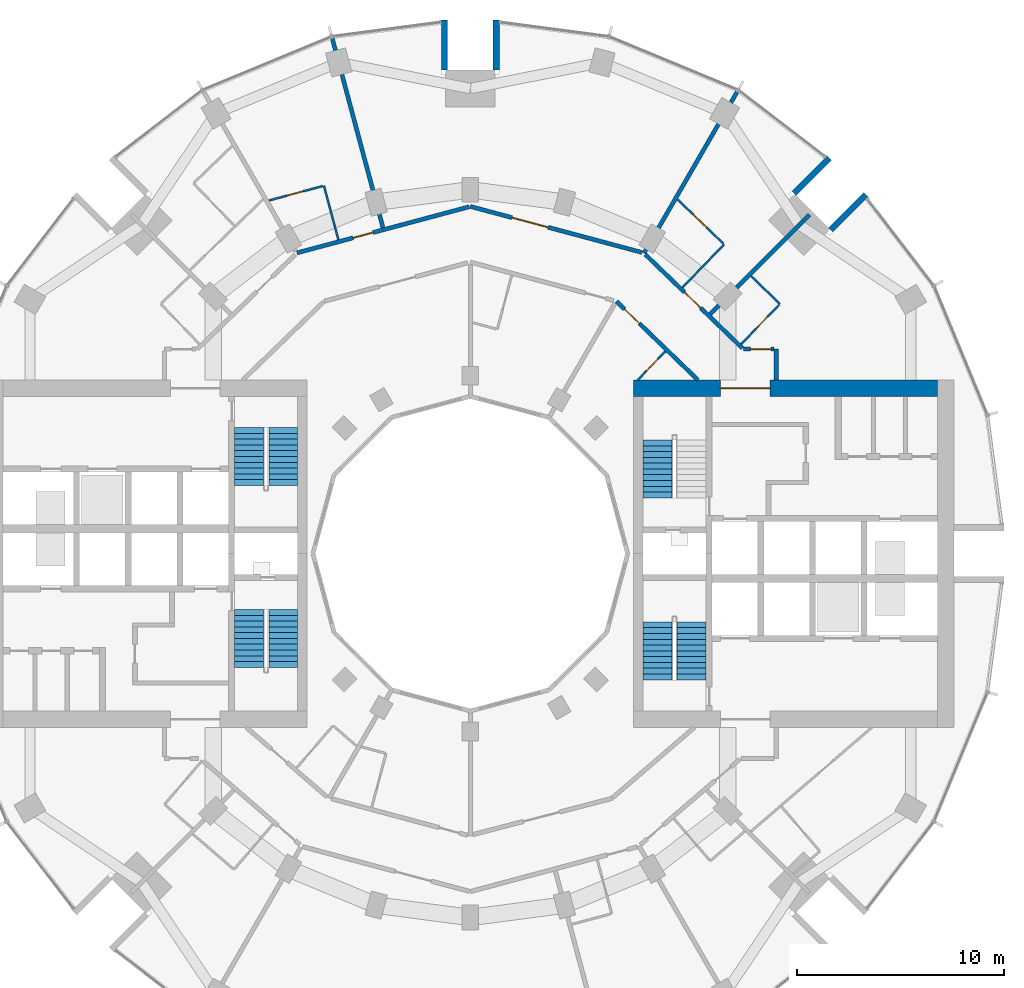
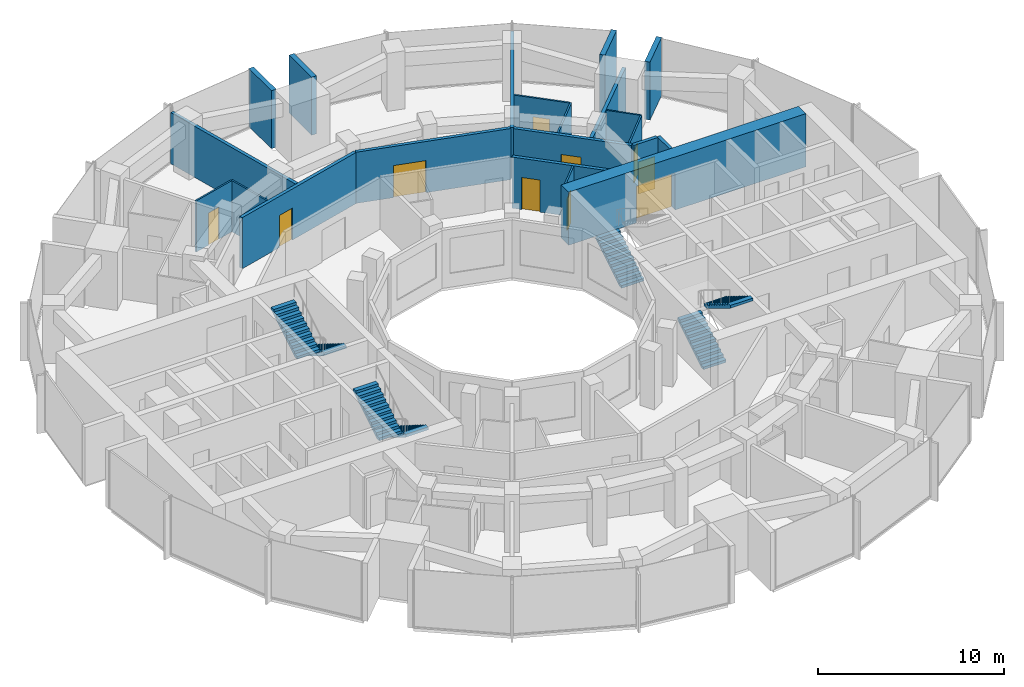
# One storey, part 12 of 15: 21 walls, 10 doors, 7 stair flights, 10 openings, 4 elements without a shape of their own.
"""IFC4 building model written with IfcOpenShell, lengths in metres."""

from ifc_helpers import new_model, si_unit, direction, frame, frame_2d, origin, place, context, subcontext, project, spatial, polyline, rectangle, outline, extrude, material, layer, layer_set, type_object, element, fill, aggregate, save


model = new_model("IFC4")

# Units and contexts
model_context = context("Model", 3, precision=1e-05, world=origin(), true_north=direction((0.0, 1.0)))
body_context = subcontext(model_context, "Body", "Model", "MODEL_VIEW")
ifc_project = project(units=[si_unit("LENGTHUNIT", "METRE"), si_unit("AREAUNIT", "SQUARE_METRE"), si_unit("VOLUMEUNIT", "CUBIC_METRE"), si_unit("PLANEANGLEUNIT", "RADIAN"), si_unit("MASSUNIT", "GRAM", prefix="KILO")], contexts=[model_context])

# Site, building, storey
site_placement = place(None, origin())
site = spatial("IfcSite", under=ifc_project, at=site_placement, CompositionType="ELEMENT")
building_placement = place(site_placement, origin())
building = spatial("IfcBuilding", under=site, at=building_placement, Name="Torre Brocal", CompositionType="ELEMENT")
storey_placement = place(building_placement, frame((0.0, 0.0, 97.60009765625)))
storey = spatial("IfcBuildingStorey", under=building, at=storey_placement, Name="L22", CompositionType="ELEMENT", Elevation=97.60009765625)

# Wall, opening, door
ifc_material_1 = material(Name="Concrete C80", Category="concrete")
ifc_layer_1 = layer(ifc_material_1, 0.800048828125)
ifc_layer_set_1 = layer_set([ifc_layer_1], Name="Concrete C80")
wall_type_1 = type_object("IfcWallType", Name="CORE WALL 800 C80", PredefinedType="SHEAR", material=ifc_layer_set_1)
wall_1_placement = place(storey_placement, frame((87.89990234375, 83.0, 0.0), z_axis=(0.0, 0.0, 1.0), x_axis=(1.0, 0.0, 0.0)))
wall_1 = element("IfcWall", 1, at=wall_1_placement, inside=storey, type_object=wall_type_1, Name="Wall CW800-80", PredefinedType="SHEAR", context=body_context, shape_type="SweptSolid", body=[
    extrude(rectangle(XDim=14.7001953125, YDim=0.800048828125, at=frame_2d((7.35009765625, 0.0))), origin(), (0.0, 0.0, 1.0), 3.47998046875),
])
opening_1_placement = place(wall_1_placement, frame((4.199951171875, 0.0, 0.0)))
opening_1 = element("IfcOpeningElement", 2, at=opening_1_placement, cuts=wall_1, Name="Opening E-D27", PredefinedType="OPENING", context=body_context, shape_type="SweptSolid", body=[
    extrude(rectangle(XDim=2.39990234375, YDim=2.39990234375, at=frame_2d((1.199951171875, 1.199951171875))), frame((0.0, 0.409912109375, 0.0), z_axis=(0.0, -1.0, 0.0), x_axis=(1.0, 0.0, 0.0)), (0.0, 0.0, 1.0), 0.820068359375),
])
ifc_material_2 = material(Name="Steel A653", Category="steel")
door_type_1 = type_object("IfcDoorType", Name="DOUBLE FIRE DOOR FD90 2400X2400", OperationType="DOUBLE_DOOR_SINGLE_SWING", PredefinedType="DOOR", material=ifc_material_2)
door_1_placement = place(opening_1_placement, frame((2.39990234375, 0.0, 0.0), z_axis=(0.0, 0.0, 1.0), x_axis=(-1.0, 0.0, 0.0)))
door_1 = element("IfcDoor", 3, at=door_1_placement, inside=storey, type_object=door_type_1, Name="Door E-D27", OperationType="DOUBLE_DOOR_SINGLE_SWING", OverallHeight=2.39990234375, OverallWidth=2.39990234375, PredefinedType="DOOR", context=body_context, shape_type="SweptSolid", body=[
    extrude(rectangle(XDim=2.39990234375, YDim=2.39990234375, at=frame_2d((1.199951171875, 1.199951171875))), frame((0.0, 0.02490234375, 0.0), z_axis=(0.0, -1.0, 0.0), x_axis=(1.0, 0.0, 0.0)), (0.0, 0.0, 1.0), 0.050048828125),
])
fill(opening_1, door_1)

# Walls
ifc_material_3 = material(Name="Concrete C80", Category="concrete")
ifc_layer_2 = layer(ifc_material_3, 0.300048828125)
ifc_layer_set_2 = layer_set([ifc_layer_2], Name="Concrete C80")
wall_type_2 = type_object("IfcWallType", Name="NOTCH RETURN WALL 300 C80", PredefinedType="NOTDEFINED", material=ifc_layer_set_2)
for number, where, z_axis, x_axis, name in (
    (4, (97.43017578125, 90.662353515625, 0.0), (0.0, 0.0, 1.0), (0.707106781187, 0.707106781187, 0.0), "NOTCH RETURN WALL"),
    (5, (95.662353515625, 92.43017578125, 0.0), (0.0, 0.0, 1.0), (0.707106781187, 0.707106781187, 0.0), "NOTCH RETURN WALL"),
    (6, (81.25, 98.39990234375, 0.0), (0.0, 0.0, 1.0), (0.0, 1.0, 0.0), "NOTCH RETURN WALL"),
    (7, (78.75, 98.39990234375, 0.0), (0.0, 0.0, 1.0), (0.0, 1.0, 0.0), "NOTCH RETURN WALL"),
):
    element("IfcWall", number, at=place(storey_placement, frame(where, z_axis=z_axis, x_axis=x_axis)), inside=storey, type_object=wall_type_2, Name=name, PredefinedType="NOTDEFINED", context=body_context, shape_type="SweptSolid", body=[
        extrude(rectangle(XDim=2.415771484375, YDim=0.300048828125, at=frame_2d((1.2080078125, 0.0))), origin(), (0.0, 0.0, 1.0), 3.7998046875),
    ])

# Wall, opening, door
ifc_material_4 = material(Name="Gypsum board", Category="Gypsum")
ifc_layer_3 = layer(ifc_material_4, 0.10009765625)
ifc_layer_set_3 = layer_set([ifc_layer_3], Name="Gypsum board")
wall_type_3 = type_object("IfcWallType", Name="PARTITION 100", PredefinedType="PARTITIONING", material=ifc_layer_set_3)
wall_2_placement = place(storey_placement, frame((70.267822265625, 92.087158203125, 0.0), z_axis=(0.0, 0.0, 1.0), x_axis=(0.965937937835, 0.258773839966, 0.0)))
wall_2 = element("IfcWall", 8, at=wall_2_placement, inside=storey, type_object=wall_type_3, Name="BATHROOM WALL", PredefinedType="PARTITIONING", context=body_context, shape_type="SweptSolid", body=[
    extrude(rectangle(XDim=2.693603515625, YDim=0.10009765625, at=frame_2d((1.3466796875, 0.0))), origin(), (0.0, 0.0, 1.0), 3.349853515625),
])
opening_2_placement = place(wall_2_placement, frame((0.911865234375, 0.0, 0.0)))
opening_2 = element("IfcOpeningElement", 9, at=opening_2_placement, cuts=wall_2, Name="Opening H06-D07", PredefinedType="OPENING", context=body_context, shape_type="SweptSolid", body=[
    extrude(rectangle(XDim=0.800048828125, YDim=2.10009765625, at=frame_2d((0.39990234375, 1.050048828125))), frame((0.0, 0.06005859375, 0.0), z_axis=(0.0, -1.0, 0.0), x_axis=(1.0, 0.0, 0.0)), (0.0, 0.0, 1.0), 0.1201171875),
])
ifc_material_5 = material(Name="Timber", Category="wood")
door_type_2 = type_object("IfcDoorType", Name="BATHROOM DOOR 800X2100", OperationType="SINGLE_SWING_LEFT", PredefinedType="DOOR", material=ifc_material_5)
door_2_placement = place(opening_2_placement, frame((0.800048828125, 0.0, 0.0), z_axis=(0.0, 0.0, 1.0), x_axis=(-1.0, 0.0, 0.0)))
door_2 = element("IfcDoor", 10, at=door_2_placement, inside=storey, type_object=door_type_2, Name="H06-D07", OperationType="SINGLE_SWING_RIGHT", OverallHeight=2.10009765625, OverallWidth=0.800048828125, PredefinedType="DOOR", context=body_context, shape_type="SweptSolid", body=[
    extrude(rectangle(XDim=0.800048828125, YDim=2.10009765625, at=frame_2d((0.39990234375, 1.050048828125))), frame((0.0, 0.02490234375, 0.0), z_axis=(0.0, -1.0, 0.0), x_axis=(1.0, 0.0, 0.0)), (0.0, 0.0, 1.0), 0.050048828125),
])
fill(opening_2, door_2)

# Wall
wall_3_placement = place(storey_placement, frame((72.91796875, 92.797119140625, 0.0), z_axis=(0.0, 0.0, 1.0), x_axis=(0.25867580527, -0.965964195904, 0.0)))
element("IfcWall", 11, at=wall_3_placement, inside=storey, type_object=wall_type_3, Name="BATHROOM WALL", PredefinedType="PARTITIONING", context=body_context, shape_type="SweptSolid", body=[
    extrude(rectangle(XDim=2.69921875, YDim=0.10009765625, at=frame_2d((1.349609375, 0.0))), origin(), (0.0, 0.0, 1.0), 3.349853515625),
])

# Wall, opening, door
wall_4_placement = place(storey_placement, frame((88.094970703125, 83.39990234375, 0.0), z_axis=(0.0, 0.0, 1.0), x_axis=(0.694447472534, 0.719543402368, 0.0)))
wall_4 = element("IfcWall", 12, at=wall_4_placement, inside=storey, type_object=wall_type_3, Name="BATHROOM WALL", PredefinedType="PARTITIONING", context=body_context, shape_type="SweptSolid", body=[
    extrude(rectangle(XDim=1.92626953125, YDim=0.10009765625, at=frame_2d((0.963134765625, 0.0))), origin(), (0.0, 0.0, 1.0), 3.349853515625),
])
opening_3_placement = place(wall_4_placement, frame((0.613037109375, 0.0, 0.0)))
opening_3 = element("IfcOpeningElement", 13, at=opening_3_placement, cuts=wall_4, Name="Opening H06-D14", PredefinedType="OPENING", context=body_context, shape_type="SweptSolid", body=[
    extrude(rectangle(XDim=0.800048828125, YDim=2.10009765625, at=frame_2d((0.39990234375, 1.050048828125))), frame((0.0, 0.06005859375, 0.0), z_axis=(0.0, -1.0, 0.0), x_axis=(1.0, 0.0, 0.0)), (0.0, 0.0, 1.0), 0.1201171875),
])
door_3_placement = place(opening_3_placement, frame((0.800048828125, 0.0, 0.0), z_axis=(0.0, 0.0, 1.0), x_axis=(-1.0, 0.0, 0.0)))
door_3 = element("IfcDoor", 14, at=door_3_placement, inside=storey, type_object=door_type_2, Name="H06-D14", OperationType="SINGLE_SWING_LEFT", OverallHeight=2.10009765625, OverallWidth=0.800048828125, PredefinedType="DOOR", context=body_context, shape_type="SweptSolid", body=[
    extrude(rectangle(XDim=0.800048828125, YDim=2.10009765625, at=frame_2d((0.39990234375, 1.050048828125))), frame((0.0, 0.02490234375, 0.0), z_axis=(0.0, -1.0, 0.0), x_axis=(1.0, 0.0, 0.0)), (0.0, 0.0, 1.0), 0.050048828125),
])
fill(opening_3, door_3)

wall_5_placement = place(storey_placement, frame((90.02734375, 92.1337890625, 0.0), z_axis=(0.0, 0.0, 1.0), x_axis=(0.719415132118, -0.694580353652, 0.0)))
wall_5 = element("IfcWall", 15, at=wall_5_placement, inside=storey, type_object=wall_type_3, Name="BATHROOM WALL", PredefinedType="PARTITIONING", context=body_context, shape_type="SweptSolid", body=[
    extrude(rectangle(XDim=3.076904296875, YDim=0.10009765625, at=frame_2d((1.53857421875, 0.0))), origin(), (0.0, 0.0, 1.0), 3.349853515625),
])
opening_4_placement = place(wall_5_placement, frame((1.053466796875, 0.0, 0.0)))
opening_4 = element("IfcOpeningElement", 16, at=opening_4_placement, cuts=wall_5, Name="Opening H06-D04", PredefinedType="OPENING", context=body_context, shape_type="SweptSolid", body=[
    extrude(rectangle(XDim=0.89990234375, YDim=2.10009765625, at=frame_2d((0.449951171875, 1.050048828125))), frame((0.0, 0.06005859375, 0.0), z_axis=(0.0, -1.0, 0.0), x_axis=(1.0, 0.0, 0.0)), (0.0, 0.0, 1.0), 0.1201171875),
])
ifc_material_6 = material(Name="Timber", Category="wood")
door_type_3 = type_object("IfcDoorType", Name="ACCESSIBLE BATHROOM DOOR 900X2100", OperationType="SINGLE_SWING_LEFT", PredefinedType="DOOR", material=ifc_material_6)
door_4_placement = place(opening_4_placement, frame((0.89990234375, 0.0, 0.0), z_axis=(0.0, 0.0, 1.0), x_axis=(-1.0, 0.0, 0.0)))
door_4 = element("IfcDoor", 17, at=door_4_placement, inside=storey, type_object=door_type_3, Name="H06-D04", OperationType="SINGLE_SWING_RIGHT", OverallHeight=2.10009765625, OverallWidth=0.89990234375, PredefinedType="DOOR", context=body_context, shape_type="SweptSolid", body=[
    extrude(rectangle(XDim=0.89990234375, YDim=2.10009765625, at=frame_2d((0.449951171875, 1.050048828125))), frame((0.0, 0.02490234375, 0.0), z_axis=(0.0, -1.0, 0.0), x_axis=(1.0, 0.0, 0.0)), (0.0, 0.0, 1.0), 0.050048828125),
])
fill(opening_4, door_4)

# Wall
wall_6_placement = place(storey_placement, frame((90.263427734375, 87.8759765625, 0.0), z_axis=(0.0, 0.0, 1.0), x_axis=(0.694534400859, 0.719459495749, 0.0)))
element("IfcWall", 18, at=wall_6_placement, inside=storey, type_object=wall_type_3, Name="BATHROOM WALL", PredefinedType="PARTITIONING", context=body_context, shape_type="SweptSolid", body=[
    extrude(rectangle(XDim=2.8994140625, YDim=0.10009765625, at=frame_2d((1.44970703125, 0.0))), origin(), (0.0, 0.0, 1.0), 3.349853515625),
])

# Wall, opening, door
wall_7_placement = place(storey_placement, frame((93.103515625, 85.135986328125, 0.0), z_axis=(0.0, 0.0, 1.0), x_axis=(0.694324808789, 0.719661767708, 0.0)))
wall_7 = element("IfcWall", 19, at=wall_7_placement, inside=storey, type_object=wall_type_3, Name="BATHROOM WALL", PredefinedType="PARTITIONING", context=body_context, shape_type="SweptSolid", body=[
    extrude(rectangle(XDim=2.64990234375, YDim=0.10009765625, at=frame_2d((1.324951171875, 0.0))), origin(), (0.0, 0.0, 1.0), 3.349853515625),
])
opening_5_placement = place(wall_7_placement, frame((1.0498046875, 0.0, 0.0)))
opening_5 = element("IfcOpeningElement", 20, at=opening_5_placement, cuts=wall_7, Name="Opening H06-D02", PredefinedType="OPENING", context=body_context, shape_type="SweptSolid", body=[
    extrude(rectangle(XDim=0.800048828125, YDim=2.10009765625, at=frame_2d((0.39990234375, 1.050048828125))), frame((0.0, 0.06005859375, 0.0), z_axis=(0.0, -1.0, 0.0), x_axis=(1.0, 0.0, 0.0)), (0.0, 0.0, 1.0), 0.1201171875),
])
door_5_placement = place(opening_5_placement, origin())
door_5 = element("IfcDoor", 21, at=door_5_placement, inside=storey, type_object=door_type_2, Name="H06-D02", OperationType="SINGLE_SWING_RIGHT", OverallHeight=2.10009765625, OverallWidth=0.800048828125, PredefinedType="DOOR", context=body_context, shape_type="SweptSolid", body=[
    extrude(rectangle(XDim=0.800048828125, YDim=2.10009765625, at=frame_2d((0.39990234375, 1.050048828125))), frame((0.0, 0.02490234375, 0.0), z_axis=(0.0, -1.0, 0.0), x_axis=(1.0, 0.0, 0.0)), (0.0, 0.0, 1.0), 0.050048828125),
])
fill(opening_5, door_5)

# Wall
wall_8_placement = place(storey_placement, frame((93.582275390625, 88.425537109375, 0.0), z_axis=(0.0, 0.0, 1.0), x_axis=(0.719707242969, -0.694277670977, 0.0)))
element("IfcWall", 22, at=wall_8_placement, inside=storey, type_object=wall_type_3, Name="BATHROOM WALL", PredefinedType="PARTITIONING", context=body_context, shape_type="SweptSolid", body=[
    extrude(rectangle(XDim=1.939453125, YDim=0.10009765625, at=frame_2d((0.9697265625, 0.0))), origin(), (0.0, 0.0, 1.0), 3.349853515625),
])

# Wall, opening, door
ifc_material_7 = material(Name="Gypsum board", Category="Gypsum")
ifc_layer_4 = layer(ifc_material_7, 0.199951171875)
ifc_layer_set_4 = layer_set([ifc_layer_4], Name="Gypsum board")
wall_type_4 = type_object("IfcWallType", Name="PARTITION 200 EI60", PredefinedType="PARTITIONING", material=ifc_layer_set_4)
wall_9_placement = place(storey_placement, frame((71.614013671875, 89.549560546875, 0.0), z_axis=(0.0, 0.0, 1.0), x_axis=(0.965982378603, 0.258607896685, 0.0)))
wall_9 = element("IfcWall", 23, at=wall_9_placement, inside=storey, type_object=wall_type_4, Name="GUESTROOM CORRIDOR WALL", PredefinedType="PARTITIONING", context=body_context, shape_type="SweptSolid", body=[
    extrude(rectangle(XDim=8.631591796875, YDim=0.199951171875, at=frame_2d((4.31591796875, 0.0))), origin(), (0.0, 0.0, 1.0), 3.349853515625),
])
opening_6_placement = place(wall_9_placement, frame((2.804443359375, 0.0, 0.0)))
opening_6 = element("IfcOpeningElement", 24, at=opening_6_placement, cuts=wall_9, Name="Opening H06-D06", PredefinedType="OPENING", context=body_context, shape_type="SweptSolid", body=[
    extrude(rectangle(XDim=1.0, YDim=2.10009765625, at=frame_2d((0.5, 1.050048828125))), frame((0.0, 0.10986328125, 0.0), z_axis=(0.0, -1.0, 0.0), x_axis=(1.0, 0.0, 0.0)), (0.0, 0.0, 1.0), 0.219970703125),
])
ifc_material_8 = material(Name="Timber", Category="wood")
door_type_4 = type_object("IfcDoorType", Name="FLAT ENTRY DOOR FD30S 1000X2100", OperationType="SINGLE_SWING_RIGHT", PredefinedType="DOOR", material=ifc_material_8)
door_6_placement = place(opening_6_placement, origin())
door_6 = element("IfcDoor", 25, at=door_6_placement, inside=storey, type_object=door_type_4, Name="H06-D06", OperationType="SINGLE_SWING_RIGHT", OverallHeight=2.10009765625, OverallWidth=1.0, PredefinedType="DOOR", context=body_context, shape_type="SweptSolid", body=[
    extrude(rectangle(XDim=1.0, YDim=2.10009765625, at=frame_2d((0.5, 1.050048828125))), frame((0.0, 0.02490234375, 0.0), z_axis=(0.0, -1.0, 0.0), x_axis=(1.0, 0.0, 0.0)), (0.0, 0.0, 1.0), 0.050048828125),
])
fill(opening_6, door_6)

# Wall
wall_10_placement = place(storey_placement, frame((73.3232421875, 99.91845703125, 0.0), z_axis=(0.0, 0.0, 1.0), x_axis=(0.258812513968, -0.965927576278, 0.0)))
element("IfcWall", 26, at=wall_10_placement, inside=storey, type_object=wall_type_4, Name="PARTY PARTITION", PredefinedType="PARTITIONING", context=body_context, shape_type="SweptSolid", body=[
    extrude(rectangle(XDim=9.4736328125, YDim=0.199951171875, at=frame_2d((4.73681640625, 0.0))), origin(), (0.0, 0.0, 1.0), 3.349853515625),
])

# Wall, opening, door
wall_11_placement = place(storey_placement, frame((80.0, 91.796142578125, 0.0), z_axis=(0.0, 0.0, 1.0), x_axis=(0.965917643923, -0.258849580177, 0.0)))
wall_11 = element("IfcWall", 27, at=wall_11_placement, inside=storey, type_object=wall_type_4, Name="CORRIDOR WALL", PredefinedType="PARTITIONING", context=body_context, shape_type="SweptSolid", body=[
    extrude(rectangle(XDim=8.601806640625, YDim=0.199951171875, at=frame_2d((4.30078125, 0.0))), origin(), (0.0, 0.0, 1.0), 3.349853515625),
])
opening_7_placement = place(wall_11_placement, frame((2.0908203125, 0.0, 0.0)))
opening_7 = element("IfcOpeningElement", 28, at=opening_7_placement, cuts=wall_11, Name="Opening H06-D05", PredefinedType="OPENING", context=body_context, shape_type="SweptSolid", body=[
    extrude(rectangle(XDim=1.800048828125, YDim=2.10009765625, at=frame_2d((0.89990234375, 1.050048828125))), frame((0.0, 0.10986328125, 0.0), z_axis=(0.0, -1.0, 0.0), x_axis=(1.0, 0.0, 0.0)), (0.0, 0.0, 1.0), 0.219970703125),
])
ifc_material_9 = material(Name="Timber", Category="wood")
door_type_5 = type_object("IfcDoorType", Name="DOUBLE DOOR 1800X2100", OperationType="DOUBLE_DOOR_SINGLE_SWING", PredefinedType="DOOR", material=ifc_material_9)
door_7_placement = place(opening_7_placement, origin())
door_7 = element("IfcDoor", 29, at=door_7_placement, inside=storey, type_object=door_type_5, Name="H06-D05", OperationType="DOUBLE_DOOR_SINGLE_SWING", OverallHeight=2.10009765625, OverallWidth=1.800048828125, PredefinedType="DOOR", context=body_context, shape_type="SweptSolid", body=[
    extrude(rectangle(XDim=1.800048828125, YDim=2.10009765625, at=frame_2d((0.89990234375, 1.050048828125))), frame((0.0, 0.02490234375, 0.0), z_axis=(0.0, -1.0, 0.0), x_axis=(1.0, 0.0, 0.0)), (0.0, 0.0, 1.0), 0.050048828125),
])
fill(opening_7, door_7)

wall_12_placement = place(storey_placement, frame((87.06396484375, 87.2109375, 0.0), z_axis=(0.0, 0.0, 1.0), x_axis=(0.719540958932, -0.694450004262, 0.0)))
wall_12 = element("IfcWall", 30, at=wall_12_placement, inside=storey, type_object=wall_type_4, Name="GUESTROOM CORRIDOR WALL", PredefinedType="PARTITIONING", context=body_context, shape_type="SweptSolid", body=[
    extrude(rectangle(XDim=5.48779296875, YDim=0.199951171875, at=frame_2d((2.743896484375, 0.0))), origin(), (0.0, 0.0, 1.0), 3.349853515625),
])
opening_8_placement = place(wall_12_placement, frame((0.550048828125, 0.0, 0.0)))
opening_8 = element("IfcOpeningElement", 31, at=opening_8_placement, cuts=wall_12, Name="Opening H06-D13", PredefinedType="OPENING", context=body_context, shape_type="SweptSolid", body=[
    extrude(rectangle(XDim=1.0, YDim=2.10009765625, at=frame_2d((0.5, 1.050048828125))), frame((0.0, 0.10986328125, 0.0), z_axis=(0.0, -1.0, 0.0), x_axis=(1.0, 0.0, 0.0)), (0.0, 0.0, 1.0), 0.219970703125),
])
door_8_placement = place(opening_8_placement, frame((1.0, 0.0, 0.0), z_axis=(0.0, 0.0, 1.0), x_axis=(-1.0, 0.0, 0.0)))
door_8 = element("IfcDoor", 32, at=door_8_placement, inside=storey, type_object=door_type_4, Name="H06-D13", OperationType="SINGLE_SWING_RIGHT", OverallHeight=2.10009765625, OverallWidth=1.0, PredefinedType="DOOR", context=body_context, shape_type="SweptSolid", body=[
    extrude(rectangle(XDim=1.0, YDim=2.10009765625, at=frame_2d((0.5, 1.050048828125))), frame((0.0, 0.02490234375, 0.0), z_axis=(0.0, -1.0, 0.0), x_axis=(1.0, 0.0, 0.0)), (0.0, 0.0, 1.0), 0.050048828125),
])
fill(opening_8, door_8)

wall_13_placement = place(storey_placement, frame((88.46533203125, 89.472900390625, 0.0), z_axis=(0.0, 0.0, 1.0), x_axis=(0.719474304909, -0.694519059908, 0.0)))
wall_13 = element("IfcWall", 33, at=wall_13_placement, inside=storey, type_object=wall_type_4, Name="GUESTROOM CORRIDOR WALL", PredefinedType="PARTITIONING", context=body_context, shape_type="SweptSolid", body=[
    extrude(rectangle(XDim=6.525390625, YDim=0.199951171875, at=frame_2d((3.2626953125, 0.0))), origin(), (0.0, 0.0, 1.0), 3.349853515625),
])
opening_9_placement = place(wall_13_placement, frame((2.6328125, 0.0, 0.0)))
opening_9 = element("IfcOpeningElement", 34, at=opening_9_placement, cuts=wall_13, Name="Opening H06-D03", PredefinedType="OPENING", context=body_context, shape_type="SweptSolid", body=[
    extrude(rectangle(XDim=1.10009765625, YDim=2.10009765625, at=frame_2d((0.550048828125, 1.050048828125))), frame((0.0, 0.10986328125, 0.0), z_axis=(0.0, -1.0, 0.0), x_axis=(1.0, 0.0, 0.0)), (0.0, 0.0, 1.0), 0.219970703125),
])
ifc_material_10 = material(Name="Timber", Category="wood")
door_type_6 = type_object("IfcDoorType", Name="ACCESSIBLE ENTRY DOOR FD30S 1100X2100", OperationType="SINGLE_SWING_RIGHT", PredefinedType="DOOR", material=ifc_material_10)
door_9_placement = place(opening_9_placement, origin())
door_9 = element("IfcDoor", 35, at=door_9_placement, inside=storey, type_object=door_type_6, Name="H06-D03", OperationType="SINGLE_SWING_LEFT", OverallHeight=2.10009765625, OverallWidth=1.10009765625, PredefinedType="DOOR", context=body_context, shape_type="SweptSolid", body=[
    extrude(rectangle(XDim=1.10009765625, YDim=2.10009765625, at=frame_2d((0.550048828125, 1.050048828125))), frame((0.0, 0.02490234375, 0.0), z_axis=(0.0, -1.0, 0.0), x_axis=(1.0, 0.0, 0.0)), (0.0, 0.0, 1.0), 0.050048828125),
])
fill(opening_9, door_9)

# Walls
wall_14_placement = place(storey_placement, frame((88.400146484375, 89.538330078125, 0.0), z_axis=(0.0, 0.0, 1.0), x_axis=(0.500234695877, 0.865889859648, 0.0)))
element("IfcWall", 36, at=wall_14_placement, inside=storey, type_object=wall_type_4, Name="BATHROOM WALL", PredefinedType="PARTITIONING", context=body_context, shape_type="SweptSolid", body=[
    extrude(rectangle(XDim=9.007080078125, YDim=0.199951171875, at=frame_2d((4.50341796875, 0.0))), origin(), (0.0, 0.0, 1.0), 3.349853515625),
])
wall_15_placement = place(storey_placement, frame((91.595458984375, 86.59033203125, 0.0), z_axis=(0.0, 0.0, 1.0), x_axis=(0.707232337591, 0.706981202484, 0.0)))
element("IfcWall", 37, at=wall_15_placement, inside=storey, type_object=wall_type_4, Name="BATHROOM WALL", PredefinedType="PARTITIONING", context=body_context, shape_type="SweptSolid", body=[
    extrude(rectangle(XDim=6.804931640625, YDim=0.199951171875, at=frame_2d((3.40234375, 0.0))), origin(), (0.0, 0.0, 1.0), 3.349853515625),
])

# Wall, opening, door
wall_16_placement = place(storey_placement, frame((93.2041015625, 84.89990234375, 0.0), z_axis=(0.0, 0.0, 1.0), x_axis=(1.0, 0.0, 0.0)))
wall_16 = element("IfcWall", 38, at=wall_16_placement, inside=storey, type_object=wall_type_4, Name="GUESTROOM CORRIDOR WALL", PredefinedType="PARTITIONING", context=body_context, shape_type="SweptSolid", body=[
    extrude(rectangle(XDim=1.495849609375, YDim=0.199951171875, at=frame_2d((0.748046875, 0.0))), origin(), (0.0, 0.0, 1.0), 3.349853515625),
])
opening_10_placement = place(wall_16_placement, frame((0.345947265625, 0.0, 0.0)))
opening_10 = element("IfcOpeningElement", 39, at=opening_10_placement, cuts=wall_16, Name="Opening H06-D01", PredefinedType="OPENING", context=body_context, shape_type="SweptSolid", body=[
    extrude(rectangle(XDim=1.0, YDim=2.10009765625, at=frame_2d((0.5, 1.050048828125))), frame((0.0, 0.10986328125, 0.0), z_axis=(0.0, -1.0, 0.0), x_axis=(1.0, 0.0, 0.0)), (0.0, 0.0, 1.0), 0.219970703125),
])
door_10_placement = place(opening_10_placement, origin())
door_10 = element("IfcDoor", 40, at=door_10_placement, inside=storey, type_object=door_type_4, Name="H06-D01", OperationType="SINGLE_SWING_RIGHT", OverallHeight=2.10009765625, OverallWidth=1.0, PredefinedType="DOOR", context=body_context, shape_type="SweptSolid", body=[
    extrude(rectangle(XDim=1.0, YDim=2.10009765625, at=frame_2d((0.5, 1.050048828125))), frame((0.0, 0.02490234375, 0.0), z_axis=(0.0, -1.0, 0.0), x_axis=(1.0, 0.0, 0.0)), (0.0, 0.0, 1.0), 0.050048828125),
])
fill(opening_10, door_10)

# Wall
wall_17_placement = place(storey_placement, frame((94.800048828125, 83.40087890625, 0.0), z_axis=(0.0, 0.0, 1.0), x_axis=(0.0, 1.0, 0.0)))
element("IfcWall", 41, at=wall_17_placement, inside=storey, type_object=wall_type_4, Name="GUESTROOM CORRIDOR WALL", PredefinedType="PARTITIONING", context=body_context, shape_type="SweptSolid", body=[
    extrude(rectangle(XDim=1.4990234375, YDim=0.199951171875, at=frame_2d((0.74951171875, 0.0))), origin(), (0.0, 0.0, 1.0), 3.349853515625),
])

# Stair, stair flight
ifc_material_11 = material(Name="Concrete C50", Category="concrete")
stair_type = type_object("IfcStairType", Name="EXIT STAIR", PredefinedType="HALF_TURN_STAIR", material=ifc_material_11)
stair_1_placement = place(storey_placement, origin())
stair_1 = element("IfcStair", 42, at=stair_1_placement, inside=storey, type_object=stair_type, Name="EXIT STAIR ST1", PredefinedType="HALF_TURN_STAIR")
ifc_material_12 = material(Name="Concrete C50", Category="concrete")
ifc_layer_5 = layer(ifc_material_12, 0.14990234375)
ifc_layer_set_5 = layer_set([ifc_layer_5], Name="Concrete C50")
stair_flight_type = type_object("IfcStairFlightType", Name="STAIR FLIGHT", PredefinedType="STRAIGHT", material=ifc_layer_set_5)
stair_flight_1_placement = place(storey_placement, frame((89.050048828125, 77.699951171875, 0.0), z_axis=(0.0, 0.0, 1.0), x_axis=(0.0, 1.0, 0.0)))
stair_flight_1 = element("IfcStairFlight", 43, at=stair_flight_1_placement, type_object=stair_flight_type, Name="ST1 flight 1", NumberOfRisers=11, NumberOfTreads=10, PredefinedType="STRAIGHT", RiserHeight=0.172727273, TreadLength=0.28, context=body_context, shape_type="SweptSolid", body=[
    extrude(outline(polyline([(0.0, 0.0), (0.0, 0.172607421875), (0.280029296875, 0.172607421875), (0.280029296875, 0.345458984375), (0.56005859375, 0.345458984375), (0.56005859375, 0.51806640625), (0.840087890625, 0.51806640625), (0.840087890625, 0.69091796875), (1.1201171875, 0.69091796875), (1.1201171875, 0.863525390625), (1.39990234375, 0.863525390625), (1.39990234375, 1.036376953125), (1.679931640625, 1.036376953125), (1.679931640625, 1.208984375), (1.9599609375, 1.208984375), (1.9599609375, 1.3818359375), (2.239990234375, 1.3818359375), (2.239990234375, 1.554443359375), (2.52001953125, 1.554443359375), (2.52001953125, 1.727294921875), (2.800048828125, 1.727294921875), (2.800048828125, 1.89990234375), (2.800048828125, 1.551025390625), (0.285400390625, 0.0), (0.0, 0.0)])), frame((0.0, 0.699951171875, 0.0), z_axis=(0.0, -1.0, 0.0), x_axis=(1.0, 0.0, 0.0)), (0.0, 0.0, 1.0), 1.39990234375),
])
aggregate(stair_1, [stair_flight_1])

# Stair, stair flights
stair_2_placement = place(storey_placement, origin())
stair_2 = element("IfcStair", 44, at=stair_2_placement, inside=storey, type_object=stair_type, Name="EXIT STAIR ST2", PredefinedType="HALF_TURN_STAIR")
stair_flight_2_placement = place(storey_placement, frame((89.050048828125, 68.89990234375, 0.0), z_axis=(0.0, 0.0, 1.0), x_axis=(0.0, 1.0, 0.0)))
stair_flight_2 = element("IfcStairFlight", 45, at=stair_flight_2_placement, type_object=stair_flight_type, Name="ST2 flight 1", NumberOfRisers=11, NumberOfTreads=10, PredefinedType="STRAIGHT", RiserHeight=0.172727273, TreadLength=0.28, context=body_context, shape_type="SweptSolid", body=[
    extrude(outline(polyline([(0.0, 0.0), (0.0, 0.172607421875), (0.280029296875, 0.172607421875), (0.280029296875, 0.345458984375), (0.56005859375, 0.345458984375), (0.56005859375, 0.51806640625), (0.840087890625, 0.51806640625), (0.840087890625, 0.69091796875), (1.1201171875, 0.69091796875), (1.1201171875, 0.863525390625), (1.39990234375, 0.863525390625), (1.39990234375, 1.036376953125), (1.679931640625, 1.036376953125), (1.679931640625, 1.208984375), (1.9599609375, 1.208984375), (1.9599609375, 1.3818359375), (2.239990234375, 1.3818359375), (2.239990234375, 1.554443359375), (2.52001953125, 1.554443359375), (2.52001953125, 1.727294921875), (2.800048828125, 1.727294921875), (2.800048828125, 1.89990234375), (2.800048828125, 1.551025390625), (0.285400390625, 0.0), (0.0, 0.0)])), frame((0.0, 0.699951171875, 0.0), z_axis=(0.0, -1.0, 0.0), x_axis=(1.0, 0.0, 0.0)), (0.0, 0.0, 1.0), 1.39990234375),
])
stair_flight_3_placement = place(storey_placement, frame((90.699951171875, 71.699951171875, 1.89990234375), z_axis=(0.0, 0.0, 1.0), x_axis=(0.0, -1.0, 0.0)))
stair_flight_3 = element("IfcStairFlight", 46, at=stair_flight_3_placement, type_object=stair_flight_type, Name="ST2 flight 2", NumberOfRisers=11, NumberOfTreads=10, PredefinedType="STRAIGHT", RiserHeight=0.172727273, TreadLength=0.28, context=body_context, shape_type="SweptSolid", body=[
    extrude(outline(polyline([(0.0, 0.0), (0.0, 0.172607421875), (0.280029296875, 0.172607421875), (0.280029296875, 0.345458984375), (0.56005859375, 0.345458984375), (0.56005859375, 0.51806640625), (0.840087890625, 0.51806640625), (0.840087890625, 0.69091796875), (1.1201171875, 0.69091796875), (1.1201171875, 0.863525390625), (1.39990234375, 0.863525390625), (1.39990234375, 1.036376953125), (1.679931640625, 1.036376953125), (1.679931640625, 1.208984375), (1.9599609375, 1.208984375), (1.9599609375, 1.3818359375), (2.239990234375, 1.3818359375), (2.239990234375, 1.554443359375), (2.52001953125, 1.554443359375), (2.52001953125, 1.727294921875), (2.800048828125, 1.727294921875), (2.800048828125, 1.89990234375), (2.800048828125, 1.551025390625), (0.285400390625, 0.0), (0.0, 0.0)])), frame((0.0, 0.699951171875, 0.0), z_axis=(0.0, -1.0, 0.0), x_axis=(1.0, 0.0, 0.0)), (0.0, 0.0, 1.0), 1.39990234375),
])
aggregate(stair_2, [stair_flight_2, stair_flight_3])

stair_3_placement = place(storey_placement, origin())
stair_3 = element("IfcStair", 47, at=stair_3_placement, inside=storey, type_object=stair_type, Name="EXIT STAIR ST3", PredefinedType="HALF_TURN_STAIR")
stair_flight_4_placement = place(storey_placement, frame((70.949951171875, 72.300048828125, 0.0), z_axis=(0.0, 0.0, 1.0), x_axis=(0.0, -1.0, 0.0)))
stair_flight_4 = element("IfcStairFlight", 48, at=stair_flight_4_placement, type_object=stair_flight_type, Name="ST3 flight 1", NumberOfRisers=11, NumberOfTreads=10, PredefinedType="STRAIGHT", RiserHeight=0.172727273, TreadLength=0.28, context=body_context, shape_type="SweptSolid", body=[
    extrude(outline(polyline([(0.0, 0.0), (0.0, 0.172607421875), (0.280029296875, 0.172607421875), (0.280029296875, 0.345458984375), (0.56005859375, 0.345458984375), (0.56005859375, 0.51806640625), (0.840087890625, 0.51806640625), (0.840087890625, 0.69091796875), (1.1201171875, 0.69091796875), (1.1201171875, 0.863525390625), (1.39990234375, 0.863525390625), (1.39990234375, 1.036376953125), (1.679931640625, 1.036376953125), (1.679931640625, 1.208984375), (1.9599609375, 1.208984375), (1.9599609375, 1.3818359375), (2.239990234375, 1.3818359375), (2.239990234375, 1.554443359375), (2.52001953125, 1.554443359375), (2.52001953125, 1.727294921875), (2.800048828125, 1.727294921875), (2.800048828125, 1.89990234375), (2.800048828125, 1.551025390625), (0.285400390625, 0.0), (0.0, 0.0)])), frame((0.0, 0.699951171875, 0.0), z_axis=(0.0, -1.0, 0.0), x_axis=(1.0, 0.0, 0.0)), (0.0, 0.0, 1.0), 1.39990234375),
])
stair_flight_5_placement = place(storey_placement, frame((69.300048828125, 69.5, 1.89990234375), z_axis=(0.0, 0.0, 1.0), x_axis=(0.0, 1.0, 0.0)))
stair_flight_5 = element("IfcStairFlight", 49, at=stair_flight_5_placement, type_object=stair_flight_type, Name="ST3 flight 2", NumberOfRisers=11, NumberOfTreads=10, PredefinedType="STRAIGHT", RiserHeight=0.172727273, TreadLength=0.28, context=body_context, shape_type="SweptSolid", body=[
    extrude(outline(polyline([(0.0, 0.0), (0.0, 0.172607421875), (0.280029296875, 0.172607421875), (0.280029296875, 0.345458984375), (0.56005859375, 0.345458984375), (0.56005859375, 0.51806640625), (0.840087890625, 0.51806640625), (0.840087890625, 0.69091796875), (1.1201171875, 0.69091796875), (1.1201171875, 0.863525390625), (1.39990234375, 0.863525390625), (1.39990234375, 1.036376953125), (1.679931640625, 1.036376953125), (1.679931640625, 1.208984375), (1.9599609375, 1.208984375), (1.9599609375, 1.3818359375), (2.239990234375, 1.3818359375), (2.239990234375, 1.554443359375), (2.52001953125, 1.554443359375), (2.52001953125, 1.727294921875), (2.800048828125, 1.727294921875), (2.800048828125, 1.89990234375), (2.800048828125, 1.551025390625), (0.285400390625, 0.0), (0.0, 0.0)])), frame((0.0, 0.699951171875, 0.0), z_axis=(0.0, -1.0, 0.0), x_axis=(1.0, 0.0, 0.0)), (0.0, 0.0, 1.0), 1.39990234375),
])
aggregate(stair_3, [stair_flight_4, stair_flight_5])

stair_4_placement = place(storey_placement, origin())
stair_4 = element("IfcStair", 50, at=stair_4_placement, inside=storey, type_object=stair_type, Name="EXIT STAIR ST4", PredefinedType="HALF_TURN_STAIR")
stair_flight_6_placement = place(storey_placement, frame((70.949951171875, 81.10009765625, 0.0), z_axis=(0.0, 0.0, 1.0), x_axis=(0.0, -1.0, 0.0)))
stair_flight_6 = element("IfcStairFlight", 51, at=stair_flight_6_placement, type_object=stair_flight_type, Name="ST4 flight 1", NumberOfRisers=11, NumberOfTreads=10, PredefinedType="STRAIGHT", RiserHeight=0.172727273, TreadLength=0.28, context=body_context, shape_type="SweptSolid", body=[
    extrude(outline(polyline([(0.0, 0.0), (0.0, 0.172607421875), (0.280029296875, 0.172607421875), (0.280029296875, 0.345458984375), (0.56005859375, 0.345458984375), (0.56005859375, 0.51806640625), (0.840087890625, 0.51806640625), (0.840087890625, 0.69091796875), (1.1201171875, 0.69091796875), (1.1201171875, 0.863525390625), (1.39990234375, 0.863525390625), (1.39990234375, 1.036376953125), (1.679931640625, 1.036376953125), (1.679931640625, 1.208984375), (1.9599609375, 1.208984375), (1.9599609375, 1.3818359375), (2.239990234375, 1.3818359375), (2.239990234375, 1.554443359375), (2.52001953125, 1.554443359375), (2.52001953125, 1.727294921875), (2.800048828125, 1.727294921875), (2.800048828125, 1.89990234375), (2.800048828125, 1.551025390625), (0.285400390625, 0.0), (0.0, 0.0)])), frame((0.0, 0.699951171875, 0.0), z_axis=(0.0, -1.0, 0.0), x_axis=(1.0, 0.0, 0.0)), (0.0, 0.0, 1.0), 1.39990234375),
])
stair_flight_7_placement = place(storey_placement, frame((69.300048828125, 78.300048828125, 1.89990234375), z_axis=(0.0, 0.0, 1.0), x_axis=(0.0, 1.0, 0.0)))
stair_flight_7 = element("IfcStairFlight", 52, at=stair_flight_7_placement, type_object=stair_flight_type, Name="ST4 flight 2", NumberOfRisers=11, NumberOfTreads=10, PredefinedType="STRAIGHT", RiserHeight=0.172727273, TreadLength=0.28, context=body_context, shape_type="SweptSolid", body=[
    extrude(outline(polyline([(0.0, 0.0), (0.0, 0.172607421875), (0.280029296875, 0.172607421875), (0.280029296875, 0.345458984375), (0.56005859375, 0.345458984375), (0.56005859375, 0.51806640625), (0.840087890625, 0.51806640625), (0.840087890625, 0.69091796875), (1.1201171875, 0.69091796875), (1.1201171875, 0.863525390625), (1.39990234375, 0.863525390625), (1.39990234375, 1.036376953125), (1.679931640625, 1.036376953125), (1.679931640625, 1.208984375), (1.9599609375, 1.208984375), (1.9599609375, 1.3818359375), (2.239990234375, 1.3818359375), (2.239990234375, 1.554443359375), (2.52001953125, 1.554443359375), (2.52001953125, 1.727294921875), (2.800048828125, 1.727294921875), (2.800048828125, 1.89990234375), (2.800048828125, 1.551025390625), (0.285400390625, 0.0), (0.0, 0.0)])), frame((0.0, 0.699951171875, 0.0), z_axis=(0.0, -1.0, 0.0), x_axis=(1.0, 0.0, 0.0)), (0.0, 0.0, 1.0), 1.39990234375),
])
aggregate(stair_4, [stair_flight_6, stair_flight_7])

save(model, "model.ifc")
